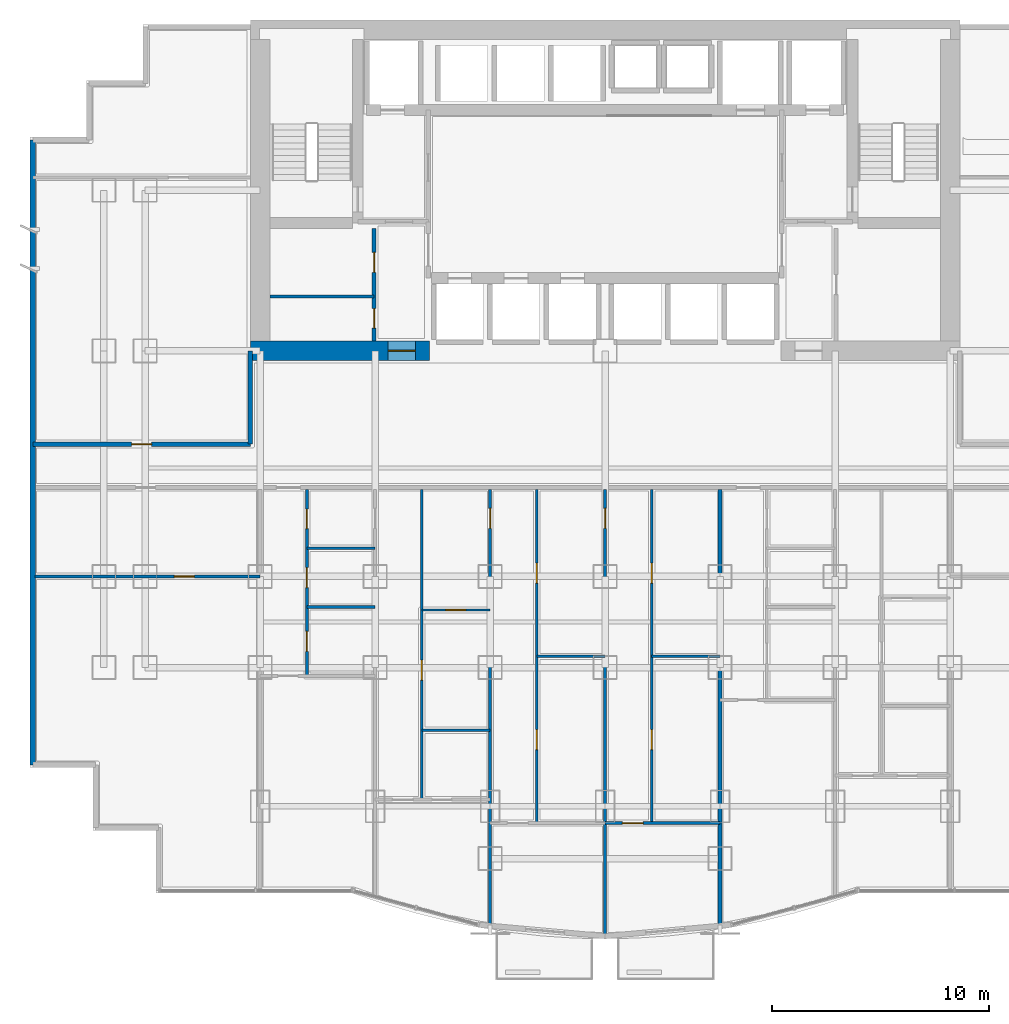
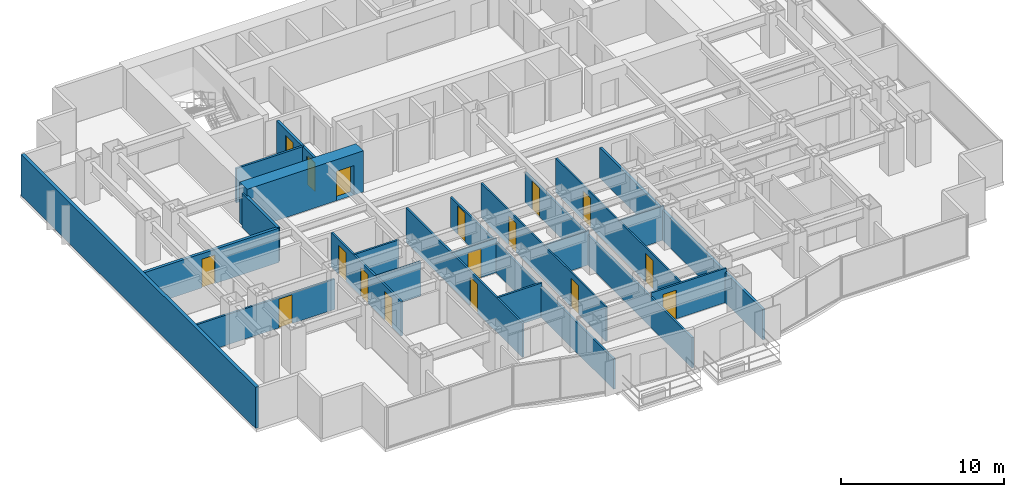
# One storey, part 7 of 12: 21 walls, 17 doors, 17 openings.
"""IFC4 building model written with IfcOpenShell, lengths in metres."""

from ifc_helpers import new_model, si_unit, direction, frame, frame_2d, origin, place, context, subcontext, project, spatial, rectangle, extrude, material, layer, layer_set, type_object, element, fill, save


model = new_model("IFC4")

# Units and contexts
model_context = context("Model", 3, precision=1e-05, world=origin(), true_north=direction((0.0, 1.0)))
body_context = subcontext(model_context, "Body", "Model", "MODEL_VIEW")
ifc_project = project(units=[si_unit("LENGTHUNIT", "METRE"), si_unit("AREAUNIT", "SQUARE_METRE"), si_unit("VOLUMEUNIT", "CUBIC_METRE"), si_unit("PLANEANGLEUNIT", "RADIAN"), si_unit("MASSUNIT", "GRAM", prefix="KILO")], contexts=[model_context])

# Site, building, storey
site_placement = place(None, origin())
site = spatial("IfcSite", under=ifc_project, at=site_placement, CompositionType="ELEMENT")
building_placement = place(site_placement, origin())
building = spatial("IfcBuilding", under=site, at=building_placement, Name="Qianlan Lanfeng Residences", CompositionType="ELEMENT")
storey_placement = place(building_placement, frame((0.0, 0.0, 63.800048828125)))
storey = spatial("IfcBuildingStorey", under=building, at=storey_placement, Name="L17", CompositionType="ELEMENT", Elevation=63.800048828125)

# Wall, opening, door
ifc_material_1 = material(Name="Concrete C70", Category="concrete")
ifc_layer_1 = layer(ifc_material_1, 0.89990234375)
ifc_layer_set_1 = layer_set([ifc_layer_1], Name="Concrete C70")
wall_type_1 = type_object("IfcWallType", Name="CW-RC-900", PredefinedType="SHEAR", material=ifc_layer_set_1)
wall_1_placement = place(storey_placement, frame((10.14990234375, 25.199951171875, 0.0), z_axis=(0.0, 0.0, 1.0), x_axis=(1.0, 0.0, 0.0)))
wall_1 = element("IfcWall", 1, at=wall_1_placement, inside=storey, type_object=wall_type_1, Name="L17 Core Shear Wall SW", PredefinedType="SHEAR", context=body_context, shape_type="SweptSolid", body=[
    extrude(rectangle(XDim=8.25, YDim=0.89990234375, at=frame_2d((4.125, 0.0))), origin(), (0.0, 0.0, 1.0), 3.079833984375),
])
opening_1_placement = place(wall_1_placement, frame((6.35009765625, 0.0, 0.0)))
opening_1 = element("IfcOpeningElement", 2, at=opening_1_placement, cuts=wall_1, Name="Opening L17-D01", PredefinedType="OPENING", context=body_context, shape_type="SweptSolid", body=[
    extrude(rectangle(XDim=1.25, YDim=2.199951171875, at=frame_2d((0.625, 1.10009765625))), frame((0.0, 0.4599609375, 0.0), z_axis=(0.0, -1.0, 0.0), x_axis=(1.0, 0.0, 0.0)), (0.0, 0.0, 1.0), 0.919921875),
])
ifc_material_2 = material(Name="Painted Galvanised Steel Fire Door", Category="steel")
door_type_1 = type_object("IfcDoorType", Name="DT-FFL", OperationType="NOTDEFINED", PredefinedType="DOOR", material=ifc_material_2)
door_1_placement = place(opening_1_placement, frame((1.25, 0.0, 0.0), z_axis=(0.0, 0.0, 1.0), x_axis=(-1.0, 0.0, 0.0)))
door_1 = element("IfcDoor", 3, at=door_1_placement, inside=storey, type_object=door_type_1, Name="L17 West Core Lobby Smoke Door L17-D01 (DT-FFL)", OperationType="SINGLE_SWING_RIGHT", OverallHeight=2.199951171875, OverallWidth=1.25, PredefinedType="DOOR", context=body_context, shape_type="SweptSolid", body=[
    extrude(rectangle(XDim=1.25, YDim=2.199951171875, at=frame_2d((0.625, 1.10009765625))), frame((0.0, 0.02490234375, 0.0), z_axis=(0.0, -1.0, 0.0), x_axis=(1.0, 0.0, 0.0)), (0.0, 0.0, 1.0), 0.050048828125),
])
fill(opening_1, door_1)

# Wall
ifc_material_3 = material(Name="Concrete C42", Category="concrete")
ifc_layer_2 = layer(ifc_material_3, 0.239990234375)
ifc_layer_set_2 = layer_set([ifc_layer_2], Name="Concrete C42")
wall_type_2 = type_object("IfcWallType", Name="EW-240", PredefinedType="SOLIDWALL", material=ifc_layer_set_2)
wall_2_placement = place(storey_placement, frame((0.1201171875, 34.929931640625, 0.0), z_axis=(0.0, 0.0, 1.0), x_axis=(0.0, -1.0, 0.0)))
element("IfcWall", 4, at=wall_2_placement, inside=storey, type_object=wall_type_2, Name="L17 Exterior Facade Spandrel Wall 21", PredefinedType="SOLIDWALL", context=body_context, shape_type="SweptSolid", body=[
    extrude(rectangle(XDim=28.809814453125, YDim=0.239990234375, at=frame_2d((14.40478515625, 0.0))), origin(), (0.0, 0.0, 1.0), 3.079833984375),
])

# Wall, opening, door
ifc_material_4 = material(Name="Demountable Acoustic Framing Partition 110 mm")
ifc_layer_3 = layer(ifc_material_4, 0.110107421875)
ifc_layer_set_3 = layer_set([ifc_layer_3], Name="Demountable Acoustic Framing Partition 110 mm")
wall_type_3 = type_object("IfcWallType", Name="PW-110", PredefinedType="MOVABLE", material=ifc_layer_set_3)
wall_3_placement = place(storey_placement, frame((18.050048828125, 13.256103515625, 0.0), z_axis=(0.0, 0.0, 1.0), x_axis=(1.0, 0.0, 0.0)))
wall_3 = element("IfcWall", 5, at=wall_3_placement, inside=storey, type_object=wall_type_3, Name="L17 U01 Wardrobe Split", PredefinedType="MOVABLE", context=body_context, shape_type="SweptSolid", body=[
    extrude(rectangle(XDim=3.14990234375, YDim=0.110107421875, at=frame_2d((1.574951171875, 0.0))), origin(), (0.0, 0.0, 1.0), 2.570068359375),
])
opening_2_placement = place(wall_3_placement, frame((1.114990234375, 0.0, 0.0)))
opening_2 = element("IfcOpeningElement", 6, at=opening_2_placement, cuts=wall_3, Name="Opening L17-D25", PredefinedType="OPENING", context=body_context, shape_type="SweptSolid", body=[
    extrude(rectangle(XDim=0.919921875, YDim=2.14990234375, at=frame_2d((0.4599609375, 1.074951171875))), frame((0.0, 0.06494140625, 0.0), z_axis=(0.0, -1.0, 0.0), x_axis=(1.0, 0.0, 0.0)), (0.0, 0.0, 1.0), 0.130126953125),
])
ifc_material_5 = material(Name="Glazed Timber Kitchen/Study Door", Category="wood")
door_type_2 = type_object("IfcDoorType", Name="DT-INT", OperationType="NOTDEFINED", PredefinedType="DOOR", material=ifc_material_5)
door_2_placement = place(opening_2_placement, origin())
door_2 = element("IfcDoor", 7, at=door_2_placement, inside=storey, type_object=door_type_2, Name="L17 U01 Dressing Inner Door L17-D25 (DT-INT)", OperationType="SINGLE_SWING_RIGHT", OverallHeight=2.14990234375, OverallWidth=0.919921875, PredefinedType="DOOR", context=body_context, shape_type="SweptSolid", body=[
    extrude(rectangle(XDim=0.919921875, YDim=2.14990234375, at=frame_2d((0.4599609375, 1.074951171875))), frame((0.0, 0.02490234375, 0.0), z_axis=(0.0, -1.0, 0.0), x_axis=(1.0, 0.0, 0.0)), (0.0, 0.0, 1.0), 0.050048828125),
])
fill(opening_2, door_2)

# Wall, openings, doors
wall_4_placement = place(storey_placement, frame((23.35009765625, 3.43408203125, 0.0), z_axis=(0.0, 0.0, 1.0), x_axis=(0.0, 1.0, 0.0)))
wall_4 = element("IfcWall", 8, at=wall_4_placement, inside=storey, type_object=wall_type_3, Name="L17 U01 Bedroom 2 Hall Wall", PredefinedType="MOVABLE", context=body_context, shape_type="SweptSolid", body=[
    extrude(rectangle(XDim=15.365966796875, YDim=0.110107421875, at=frame_2d((7.68310546875, 0.0))), origin(), (0.0, 0.0, 1.0), 2.570068359375),
])
opening_3_placement = place(wall_4_placement, frame((3.381103515625, 0.0, 0.0)))
opening_3 = element("IfcOpeningElement", 9, at=opening_3_placement, cuts=wall_4, Name="Opening L17-D27", PredefinedType="OPENING", context=body_context, shape_type="SweptSolid", body=[
    extrude(rectangle(XDim=0.919921875, YDim=2.14990234375, at=frame_2d((0.4599609375, 1.074951171875))), frame((0.0, 0.06494140625, 0.0), z_axis=(0.0, -1.0, 0.0), x_axis=(1.0, 0.0, 0.0)), (0.0, 0.0, 1.0), 0.130126953125),
])
opening_4_placement = place(wall_4_placement, frame((11.06494140625, 0.0, 0.0)))
opening_4 = element("IfcOpeningElement", 10, at=opening_4_placement, cuts=wall_4, Name="Opening L17-D28", PredefinedType="OPENING", context=body_context, shape_type="SweptSolid", body=[
    extrude(rectangle(XDim=0.919921875, YDim=2.14990234375, at=frame_2d((0.4599609375, 1.074951171875))), frame((0.0, 0.06494140625, 0.0), z_axis=(0.0, -1.0, 0.0), x_axis=(1.0, 0.0, 0.0)), (0.0, 0.0, 1.0), 0.130126953125),
])
door_3_placement = place(opening_3_placement, origin())
door_3 = element("IfcDoor", 11, at=door_3_placement, inside=storey, type_object=door_type_2, Name="L17 U01 Utility Door L17-D27 (DT-INT)", OperationType="SINGLE_SWING_RIGHT", OverallHeight=2.14990234375, OverallWidth=0.919921875, PredefinedType="DOOR", context=body_context, shape_type="SweptSolid", body=[
    extrude(rectangle(XDim=0.919921875, YDim=2.14990234375, at=frame_2d((0.4599609375, 1.074951171875))), frame((0.0, 0.02490234375, 0.0), z_axis=(0.0, -1.0, 0.0), x_axis=(1.0, 0.0, 0.0)), (0.0, 0.0, 1.0), 0.050048828125),
])
fill(opening_3, door_3)
door_4_placement = place(opening_4_placement, origin())
door_4 = element("IfcDoor", 12, at=door_4_placement, inside=storey, type_object=door_type_2, Name="L17 U01 Specialty Door L17-D28 (DT-INT)", OperationType="SINGLE_SWING_LEFT", OverallHeight=2.14990234375, OverallWidth=0.919921875, PredefinedType="DOOR", context=body_context, shape_type="SweptSolid", body=[
    extrude(rectangle(XDim=0.919921875, YDim=2.14990234375, at=frame_2d((0.4599609375, 1.074951171875))), frame((0.0, 0.02490234375, 0.0), z_axis=(0.0, -1.0, 0.0), x_axis=(1.0, 0.0, 0.0)), (0.0, 0.0, 1.0), 0.050048828125),
])
fill(opening_4, door_4)

# Wall
wall_5_placement = place(storey_placement, frame((23.35009765625, 11.116943359375, 0.0), z_axis=(0.0, 0.0, 1.0), x_axis=(1.0, 0.0, 0.0)))
element("IfcWall", 13, at=wall_5_placement, inside=storey, type_object=wall_type_3, Name="L17 U01 Specialty Split Wall", PredefinedType="MOVABLE", context=body_context, shape_type="SweptSolid", body=[
    extrude(rectangle(XDim=3.14990234375, YDim=0.110107421875, at=frame_2d((1.574951171875, 0.0))), origin(), (0.0, 0.0, 1.0), 2.570068359375),
])

# Wall, openings, doors
wall_6_placement = place(storey_placement, frame((28.64990234375, 3.43408203125, 0.0), z_axis=(0.0, 0.0, 1.0), x_axis=(0.0, 1.0, 0.0)))
wall_6 = element("IfcWall", 14, at=wall_6_placement, inside=storey, type_object=wall_type_3, Name="L17 U01 Bedroom 3 Hall Wall", PredefinedType="MOVABLE", context=body_context, shape_type="SweptSolid", body=[
    extrude(rectangle(XDim=15.365966796875, YDim=0.110107421875, at=frame_2d((7.68310546875, 0.0))), origin(), (0.0, 0.0, 1.0), 2.570068359375),
])
opening_5_placement = place(wall_6_placement, frame((3.381103515625, 0.0, 0.0)))
opening_5 = element("IfcOpeningElement", 15, at=opening_5_placement, cuts=wall_6, Name="Opening L17-D30", PredefinedType="OPENING", context=body_context, shape_type="SweptSolid", body=[
    extrude(rectangle(XDim=0.919921875, YDim=2.14990234375, at=frame_2d((0.4599609375, 1.074951171875))), frame((0.0, 0.06494140625, 0.0), z_axis=(0.0, -1.0, 0.0), x_axis=(1.0, 0.0, 0.0)), (0.0, 0.0, 1.0), 0.130126953125),
])
opening_6_placement = place(wall_6_placement, frame((11.06494140625, 0.0, 0.0)))
opening_6 = element("IfcOpeningElement", 16, at=opening_6_placement, cuts=wall_6, Name="Opening L17-D31", PredefinedType="OPENING", context=body_context, shape_type="SweptSolid", body=[
    extrude(rectangle(XDim=0.919921875, YDim=2.14990234375, at=frame_2d((0.4599609375, 1.074951171875))), frame((0.0, 0.06494140625, 0.0), z_axis=(0.0, -1.0, 0.0), x_axis=(1.0, 0.0, 0.0)), (0.0, 0.0, 1.0), 0.130126953125),
])
door_5_placement = place(opening_5_placement, origin())
door_5 = element("IfcDoor", 17, at=door_5_placement, inside=storey, type_object=door_type_2, Name="L17 U01 Utility Door L17-D30 (DT-INT)", OperationType="SINGLE_SWING_LEFT", OverallHeight=2.14990234375, OverallWidth=0.919921875, PredefinedType="DOOR", context=body_context, shape_type="SweptSolid", body=[
    extrude(rectangle(XDim=0.919921875, YDim=2.14990234375, at=frame_2d((0.4599609375, 1.074951171875))), frame((0.0, 0.02490234375, 0.0), z_axis=(0.0, -1.0, 0.0), x_axis=(1.0, 0.0, 0.0)), (0.0, 0.0, 1.0), 0.050048828125),
])
fill(opening_5, door_5)
door_6_placement = place(opening_6_placement, origin())
door_6 = element("IfcDoor", 18, at=door_6_placement, inside=storey, type_object=door_type_2, Name="L17 U01 Specialty Door L17-D31 (DT-INT)", OperationType="SINGLE_SWING_RIGHT", OverallHeight=2.14990234375, OverallWidth=0.919921875, PredefinedType="DOOR", context=body_context, shape_type="SweptSolid", body=[
    extrude(rectangle(XDim=0.919921875, YDim=2.14990234375, at=frame_2d((0.4599609375, 1.074951171875))), frame((0.0, 0.02490234375, 0.0), z_axis=(0.0, -1.0, 0.0), x_axis=(1.0, 0.0, 0.0)), (0.0, 0.0, 1.0), 0.050048828125),
])
fill(opening_6, door_6)

# Wall
wall_7_placement = place(storey_placement, frame((28.64990234375, 11.116943359375, 0.0), z_axis=(0.0, 0.0, 1.0), x_axis=(1.0, 0.0, 0.0)))
element("IfcWall", 19, at=wall_7_placement, inside=storey, type_object=wall_type_3, Name="L17 U01 Specialty Split Wall", PredefinedType="MOVABLE", context=body_context, shape_type="SweptSolid", body=[
    extrude(rectangle(XDim=3.150146484375, YDim=0.110107421875, at=frame_2d((1.5751953125, 0.0))), origin(), (0.0, 0.0, 1.0), 2.570068359375),
])

# Wall, opening, door
ifc_material_6 = material(Name="Moisture-Resistant Gypsum Partition 135 mm")
ifc_layer_4 = layer(ifc_material_6, 0.135009765625)
ifc_layer_set_4 = layer_set([ifc_layer_4], Name="Moisture-Resistant Gypsum Partition 135 mm")
wall_type_4 = type_object("IfcWallType", Name="PW-135", PredefinedType="PARTITIONING", material=ifc_layer_set_4)
wall_8_placement = place(storey_placement, frame((21.199951171875, -1.235107421875, 0.0), z_axis=(0.0, 0.0, 1.0), x_axis=(0.0, 1.0, 0.0)))
wall_8 = element("IfcWall", 20, at=wall_8_placement, inside=storey, type_object=wall_type_4, Name="L17 U01 Bay Spine Wall 2", PredefinedType="PARTITIONING", context=body_context, shape_type="SweptSolid", body=[
    extrude(rectangle(XDim=20.03515625, YDim=0.135009765625, at=frame_2d((10.017578125, 0.0))), origin(), (0.0, 0.0, 1.0), 2.27490234375),
])
opening_7_placement = place(wall_8_placement, frame((18.25, 0.0, 0.0)))
opening_7 = element("IfcOpeningElement", 21, at=opening_7_placement, cuts=wall_8, Name="Opening L17-D16", PredefinedType="OPENING", context=body_context, shape_type="SweptSolid", body=[
    extrude(rectangle(XDim=0.919921875, YDim=2.14990234375, at=frame_2d((0.4599609375, 1.074951171875))), frame((0.0, 0.07763671875, 0.0), z_axis=(0.0, -1.0, 0.0), x_axis=(1.0, 0.0, 0.0)), (0.0, 0.0, 1.0), 0.155029296875),
])
door_7_placement = place(opening_7_placement, origin())
door_7 = element("IfcDoor", 22, at=door_7_placement, inside=storey, type_object=door_type_2, Name="L17 U01 Internal Hall Door L17-D16 (DT-INT)", OperationType="SINGLE_SWING_LEFT", OverallHeight=2.14990234375, OverallWidth=0.919921875, PredefinedType="DOOR", context=body_context, shape_type="SweptSolid", body=[
    extrude(rectangle(XDim=0.919921875, YDim=2.14990234375, at=frame_2d((0.4599609375, 1.074951171875))), frame((0.0, 0.02490234375, 0.0), z_axis=(0.0, -1.0, 0.0), x_axis=(1.0, 0.0, 0.0)), (0.0, 0.0, 1.0), 0.050048828125),
])
fill(opening_7, door_7)

wall_9_placement = place(storey_placement, frame((26.5, -1.679931640625, 0.0), z_axis=(0.0, 0.0, 1.0), x_axis=(0.0, 1.0, 0.0)))
wall_9 = element("IfcWall", 23, at=wall_9_placement, inside=storey, type_object=wall_type_4, Name="L17 U01 Bay Spine Wall 3", PredefinedType="PARTITIONING", context=body_context, shape_type="SweptSolid", body=[
    extrude(rectangle(XDim=20.47998046875, YDim=0.135009765625, at=frame_2d((10.239990234375, 0.0))), origin(), (0.0, 0.0, 1.0), 2.27490234375),
])
opening_8_placement = place(wall_9_placement, frame((18.695068359375, 0.0, 0.0)))
opening_8 = element("IfcOpeningElement", 24, at=opening_8_placement, cuts=wall_9, Name="Opening L17-D17", PredefinedType="OPENING", context=body_context, shape_type="SweptSolid", body=[
    extrude(rectangle(XDim=0.919921875, YDim=2.14990234375, at=frame_2d((0.4599609375, 1.074951171875))), frame((0.0, 0.07763671875, 0.0), z_axis=(0.0, -1.0, 0.0), x_axis=(1.0, 0.0, 0.0)), (0.0, 0.0, 1.0), 0.155029296875),
])
door_8_placement = place(opening_8_placement, origin())
door_8 = element("IfcDoor", 25, at=door_8_placement, inside=storey, type_object=door_type_2, Name="L17 U01 Internal Hall Door L17-D17 (DT-INT)", OperationType="SINGLE_SWING_RIGHT", OverallHeight=2.14990234375, OverallWidth=0.919921875, PredefinedType="DOOR", context=body_context, shape_type="SweptSolid", body=[
    extrude(rectangle(XDim=0.919921875, YDim=2.14990234375, at=frame_2d((0.4599609375, 1.074951171875))), frame((0.0, 0.02490234375, 0.0), z_axis=(0.0, -1.0, 0.0), x_axis=(1.0, 0.0, 0.0)), (0.0, 0.0, 1.0), 0.050048828125),
])
fill(opening_8, door_8)

# Wall, openings, doors
wall_10_placement = place(storey_placement, frame((12.75, 10.219970703125, 0.0), z_axis=(0.0, 0.0, 1.0), x_axis=(0.0, 1.0, 0.0)))
wall_10 = element("IfcWall", 26, at=wall_10_placement, inside=storey, type_object=wall_type_4, Name="L17 U01 Entry Hall Spine", PredefinedType="PARTITIONING", context=body_context, shape_type="SweptSolid", body=[
    extrude(rectangle(XDim=8.580078125, YDim=0.135009765625, at=frame_2d((4.2900390625, 0.0))), origin(), (0.0, 0.0, 1.0), 2.570068359375),
])
opening_9_placement = place(wall_10_placement, frame((1.1298828125, 0.0, 0.0)))
opening_9 = element("IfcOpeningElement", 27, at=opening_9_placement, cuts=wall_10, Name="Opening L17-D19", PredefinedType="OPENING", context=body_context, shape_type="SweptSolid", body=[
    extrude(rectangle(XDim=0.919921875, YDim=2.14990234375, at=frame_2d((0.4599609375, 1.074951171875))), frame((0.0, 0.07763671875, 0.0), z_axis=(0.0, -1.0, 0.0), x_axis=(1.0, 0.0, 0.0)), (0.0, 0.0, 1.0), 0.155029296875),
])
opening_10_placement = place(wall_10_placement, frame((4.070068359375, 0.0, 0.0)))
opening_10 = element("IfcOpeningElement", 28, at=opening_10_placement, cuts=wall_10, Name="Opening L17-D20", PredefinedType="OPENING", context=body_context, shape_type="SweptSolid", body=[
    extrude(rectangle(XDim=0.919921875, YDim=2.14990234375, at=frame_2d((0.4599609375, 1.074951171875))), frame((0.0, 0.07763671875, 0.0), z_axis=(0.0, -1.0, 0.0), x_axis=(1.0, 0.0, 0.0)), (0.0, 0.0, 1.0), 0.155029296875),
])
opening_11_placement = place(wall_10_placement, frame((6.780029296875, 0.0, 0.0)))
opening_11 = element("IfcOpeningElement", 29, at=opening_11_placement, cuts=wall_10, Name="Opening L17-D21", PredefinedType="OPENING", context=body_context, shape_type="SweptSolid", body=[
    extrude(rectangle(XDim=0.89990234375, YDim=2.14990234375, at=frame_2d((0.449951171875, 1.074951171875))), frame((0.0, 0.07763671875, 0.0), z_axis=(0.0, -1.0, 0.0), x_axis=(1.0, 0.0, 0.0)), (0.0, 0.0, 1.0), 0.155029296875),
])
door_9_placement = place(opening_9_placement, origin())
door_9 = element("IfcDoor", 30, at=door_9_placement, inside=storey, type_object=door_type_2, Name="L17 U01 Study Door L17-D19 (DT-INT)", OperationType="SINGLE_SWING_RIGHT", OverallHeight=2.14990234375, OverallWidth=0.919921875, PredefinedType="DOOR", context=body_context, shape_type="SweptSolid", body=[
    extrude(rectangle(XDim=0.919921875, YDim=2.14990234375, at=frame_2d((0.4599609375, 1.074951171875))), frame((0.0, 0.02490234375, 0.0), z_axis=(0.0, -1.0, 0.0), x_axis=(1.0, 0.0, 0.0)), (0.0, 0.0, 1.0), 0.050048828125),
])
fill(opening_9, door_9)
door_10_placement = place(opening_10_placement, origin())
door_10 = element("IfcDoor", 31, at=door_10_placement, inside=storey, type_object=door_type_2, Name="L17 U01 Kitchen Door L17-D20 (DT-INT)", OperationType="SINGLE_SWING_LEFT", OverallHeight=2.14990234375, OverallWidth=0.919921875, PredefinedType="DOOR", context=body_context, shape_type="SweptSolid", body=[
    extrude(rectangle(XDim=0.919921875, YDim=2.14990234375, at=frame_2d((0.4599609375, 1.074951171875))), frame((0.0, 0.02490234375, 0.0), z_axis=(0.0, -1.0, 0.0), x_axis=(1.0, 0.0, 0.0)), (0.0, 0.0, 1.0), 0.050048828125),
])
fill(opening_10, door_10)
ifc_material_7 = material(Name="Moisture-Resistant Timber Leaf", Category="wood")
door_type_3 = type_object("IfcDoorType", Name="DT-WC", OperationType="NOTDEFINED", PredefinedType="DOOR", material=ifc_material_7)
door_11_placement = place(opening_11_placement, origin())
door_11 = element("IfcDoor", 32, at=door_11_placement, inside=storey, type_object=door_type_3, Name="L17 U01 Bathroom Door L17-D21 (DT-WC)", OperationType="SINGLE_SWING_RIGHT", OverallHeight=2.14990234375, OverallWidth=0.89990234375, PredefinedType="DOOR", context=body_context, shape_type="SweptSolid", body=[
    extrude(rectangle(XDim=0.89990234375, YDim=2.14990234375, at=frame_2d((0.449951171875, 1.074951171875))), frame((0.0, 0.02490234375, 0.0), z_axis=(0.0, -1.0, 0.0), x_axis=(1.0, 0.0, 0.0)), (0.0, 0.0, 1.0), 0.050048828125),
])
fill(opening_11, door_11)

# Walls
for number, where, z_axis, x_axis, name in (
    (33, (12.75, 13.39990234375, 0.0), (0.0, 0.0, 1.0), (1.0, 0.0, 0.0), "L17 U01 Kitchen South Wall"),
    (34, (12.75, 16.10009765625, 0.0), (0.0, 0.0, 1.0), (1.0, 0.0, 0.0), "L17 U01 Bathroom South Wall"),
):
    element("IfcWall", number, at=place(storey_placement, frame(where, z_axis=z_axis, x_axis=x_axis)), inside=storey, type_object=wall_type_4, Name=name, PredefinedType="PARTITIONING", context=body_context, shape_type="SweptSolid", body=[
        extrude(rectangle(XDim=3.14990234375, YDim=0.135009765625, at=frame_2d((1.574951171875, 0.0))), origin(), (0.0, 0.0, 1.0), 2.570068359375),
    ])

# Wall, opening, door
wall_11_placement = place(storey_placement, frame((18.050048828125, 4.511962890625, 0.0), z_axis=(0.0, 0.0, 1.0), x_axis=(0.0, 1.0, 0.0)))
wall_11 = element("IfcWall", 35, at=wall_11_placement, inside=storey, type_object=wall_type_4, Name="L17 U01 Master Passage Wall", PredefinedType="PARTITIONING", context=body_context, shape_type="SweptSolid", body=[
    extrude(rectangle(XDim=14.2880859375, YDim=0.135009765625, at=frame_2d((7.14404296875, 0.0))), origin(), (0.0, 0.0, 1.0), 2.570068359375),
])
opening_12_placement = place(wall_11_placement, frame((5.511962890625, 0.0, 0.0)))
opening_12 = element("IfcOpeningElement", 36, at=opening_12_placement, cuts=wall_11, Name="Opening L17-D24", PredefinedType="OPENING", context=body_context, shape_type="SweptSolid", body=[
    extrude(rectangle(XDim=0.919921875, YDim=2.14990234375, at=frame_2d((0.4599609375, 1.074951171875))), frame((0.0, 0.07763671875, 0.0), z_axis=(0.0, -1.0, 0.0), x_axis=(1.0, 0.0, 0.0)), (0.0, 0.0, 1.0), 0.155029296875),
])
door_12_placement = place(opening_12_placement, origin())
door_12 = element("IfcDoor", 37, at=door_12_placement, inside=storey, type_object=door_type_2, Name="L17 U01 Wardrobe Door L17-D24 (DT-INT)", OperationType="SINGLE_SWING_LEFT", OverallHeight=2.14990234375, OverallWidth=0.919921875, PredefinedType="DOOR", context=body_context, shape_type="SweptSolid", body=[
    extrude(rectangle(XDim=0.919921875, YDim=2.14990234375, at=frame_2d((0.4599609375, 1.074951171875))), frame((0.0, 0.02490234375, 0.0), z_axis=(0.0, -1.0, 0.0), x_axis=(1.0, 0.0, 0.0)), (0.0, 0.0, 1.0), 0.050048828125),
])
fill(opening_12, door_12)

# Wall
wall_12_placement = place(storey_placement, frame((18.050048828125, 7.7119140625, 0.0), z_axis=(0.0, 0.0, 1.0), x_axis=(1.0, 0.0, 0.0)))
element("IfcWall", 38, at=wall_12_placement, inside=storey, type_object=wall_type_4, Name="L17 U01 En-Suite North Wall", PredefinedType="PARTITIONING", context=body_context, shape_type="SweptSolid", body=[
    extrude(rectangle(XDim=3.14990234375, YDim=0.135009765625, at=frame_2d((1.574951171875, 0.0))), origin(), (0.0, 0.0, 1.0), 2.570068359375),
])

# Wall, opening, door
wall_13_placement = place(storey_placement, frame((26.5, 3.43408203125, 0.0), z_axis=(0.0, 0.0, 1.0), x_axis=(1.0, 0.0, 0.0)))
wall_13 = element("IfcWall", 39, at=wall_13_placement, inside=storey, type_object=wall_type_4, Name="L17 U01 Bedroom 3 North Wall", PredefinedType="PARTITIONING", context=body_context, shape_type="SweptSolid", body=[
    extrude(rectangle(XDim=5.300048828125, YDim=0.135009765625, at=frame_2d((2.64990234375, 0.0))), origin(), (0.0, 0.0, 1.0), 2.570068359375),
])
opening_13_placement = place(wall_13_placement, frame((0.800048828125, 0.0, 0.0)))
opening_13 = element("IfcOpeningElement", 40, at=opening_13_placement, cuts=wall_13, Name="Opening L17-D29", PredefinedType="OPENING", context=body_context, shape_type="SweptSolid", body=[
    extrude(rectangle(XDim=0.949951171875, YDim=2.14990234375, at=frame_2d((0.47509765625, 1.074951171875))), frame((0.0, 0.07763671875, 0.0), z_axis=(0.0, -1.0, 0.0), x_axis=(1.0, 0.0, 0.0)), (0.0, 0.0, 1.0), 0.155029296875),
])
ifc_material_8 = material(Name="Painted Solid-Core Timber Leaf", Category="wood")
door_type_4 = type_object("IfcDoorType", Name="DT-BED", OperationType="NOTDEFINED", PredefinedType="DOOR", material=ifc_material_8)
door_13_placement = place(opening_13_placement, frame((0.949951171875, 0.0, 0.0), z_axis=(0.0, 0.0, 1.0), x_axis=(-1.0, 0.0, 0.0)))
door_13 = element("IfcDoor", 41, at=door_13_placement, inside=storey, type_object=door_type_4, Name="L17 U01 Bedroom 3 Door L17-D29 (DT-BED)", OperationType="SINGLE_SWING_LEFT", OverallHeight=2.14990234375, OverallWidth=0.949951171875, PredefinedType="DOOR", context=body_context, shape_type="SweptSolid", body=[
    extrude(rectangle(XDim=0.949951171875, YDim=2.14990234375, at=frame_2d((0.47509765625, 1.074951171875))), frame((0.0, 0.02490234375, 0.0), z_axis=(0.0, -1.0, 0.0), x_axis=(1.0, 0.0, 0.0)), (0.0, 0.0, 1.0), 0.050048828125),
])
fill(opening_13, door_13)

wall_14_placement = place(storey_placement, frame((0.219970703125, 14.800048828125, 0.0), z_axis=(0.0, 0.0, 1.0), x_axis=(1.0, 0.0, 0.0)))
wall_14 = element("IfcWall", 42, at=wall_14_placement, inside=storey, type_object=wall_type_4, Name="L17 SWP Mid Partition", PredefinedType="PARTITIONING", context=body_context, shape_type="SweptSolid", body=[
    extrude(rectangle(XDim=10.380126953125, YDim=0.135009765625, at=frame_2d((5.18994140625, 0.0))), origin(), (0.0, 0.0, 1.0), 2.27490234375),
])
opening_14_placement = place(wall_14_placement, frame((6.429931640625, 0.0, 0.0)))
opening_14 = element("IfcOpeningElement", 43, at=opening_14_placement, cuts=wall_14, Name="Opening L17-D42", PredefinedType="OPENING", context=body_context, shape_type="SweptSolid", body=[
    extrude(rectangle(XDim=0.919921875, YDim=2.14990234375, at=frame_2d((0.4599609375, 1.074951171875))), frame((0.0, 0.07763671875, 0.0), z_axis=(0.0, -1.0, 0.0), x_axis=(1.0, 0.0, 0.0)), (0.0, 0.0, 1.0), 0.155029296875),
])
door_14_placement = place(opening_14_placement, origin())
door_14 = element("IfcDoor", 44, at=door_14_placement, inside=storey, type_object=door_type_2, Name="L17 SWP Inner Door L17-D42 (DT-INT)", OperationType="SINGLE_SWING_LEFT", OverallHeight=2.14990234375, OverallWidth=0.919921875, PredefinedType="DOOR", context=body_context, shape_type="SweptSolid", body=[
    extrude(rectangle(XDim=0.919921875, YDim=2.14990234375, at=frame_2d((0.4599609375, 1.074951171875))), frame((0.0, 0.02490234375, 0.0), z_axis=(0.0, -1.0, 0.0), x_axis=(1.0, 0.0, 0.0)), (0.0, 0.0, 1.0), 0.050048828125),
])
fill(opening_14, door_14)

# Wall
ifc_material_9 = material(Name="Acoustic Drywall Partition 150 mm")
ifc_layer_5 = layer(ifc_material_9, 0.14990234375)
ifc_layer_set_5 = layer_set([ifc_layer_5], Name="Acoustic Drywall Partition 150 mm")
wall_type_5 = type_object("IfcWallType", Name="PW-150", PredefinedType="PARTITIONING", material=ifc_layer_set_5)
wall_15_placement = place(storey_placement, frame((11.050048828125, 27.699951171875, 0.0), z_axis=(0.0, 0.0, 1.0), x_axis=(1.0, 0.0, 0.0)))
element("IfcWall", 45, at=wall_15_placement, inside=storey, type_object=wall_type_5, Name="L17 Core West Split", PredefinedType="PARTITIONING", context=body_context, shape_type="SweptSolid", body=[
    extrude(rectangle(XDim=4.800048828125, YDim=0.14990234375, at=frame_2d((2.39990234375, 0.0))), origin(), (0.0, 0.0, 1.0), 2.570068359375),
])

# Wall, openings, doors
ifc_material_10 = material(Name="Double-Layer Acoustic Gypsum Stud Wall 180 mm")
ifc_layer_6 = layer(ifc_material_10, 0.179931640625)
ifc_layer_set_6 = layer_set([ifc_layer_6], Name="Double-Layer Acoustic Gypsum Stud Wall 180 mm")
wall_type_6 = type_object("IfcWallType", Name="PW-180", PredefinedType="PARTITIONING", material=ifc_layer_set_6)
wall_16_placement = place(storey_placement, frame((15.85009765625, 25.64990234375, 0.0), z_axis=(0.0, 0.0, 1.0), x_axis=(0.0, 1.0, 0.0)))
wall_16 = element("IfcWall", 46, at=wall_16_placement, inside=storey, type_object=wall_type_6, Name="L17 Core West Service Room Wall", PredefinedType="PARTITIONING", context=body_context, shape_type="SweptSolid", body=[
    extrude(rectangle(XDim=5.2001953125, YDim=0.179931640625, at=frame_2d((2.60009765625, 0.0))), origin(), (0.0, 0.0, 1.0), 2.570068359375),
])
opening_15_placement = place(wall_16_placement, frame((0.60009765625, 0.0, 0.0)))
opening_15 = element("IfcOpeningElement", 47, at=opening_15_placement, cuts=wall_16, Name="Opening L17-D09", PredefinedType="OPENING", context=body_context, shape_type="SweptSolid", body=[
    extrude(rectangle(XDim=0.89990234375, YDim=2.14990234375, at=frame_2d((0.449951171875, 1.074951171875))), frame((0.0, 0.10009765625, 0.0), z_axis=(0.0, -1.0, 0.0), x_axis=(1.0, 0.0, 0.0)), (0.0, 0.0, 1.0), 0.199951171875),
])
opening_16_placement = place(wall_16_placement, frame((3.1650390625, 0.0, 0.0)))
opening_16 = element("IfcOpeningElement", 48, at=opening_16_placement, cuts=wall_16, Name="Opening L17-D10", PredefinedType="OPENING", context=body_context, shape_type="SweptSolid", body=[
    extrude(rectangle(XDim=0.919921875, YDim=2.14990234375, at=frame_2d((0.4599609375, 1.074951171875))), frame((0.0, 0.10009765625, 0.0), z_axis=(0.0, -1.0, 0.0), x_axis=(1.0, 0.0, 0.0)), (0.0, 0.0, 1.0), 0.199951171875),
])
door_15_placement = place(opening_16_placement, origin())
door_15 = element("IfcDoor", 49, at=door_15_placement, inside=storey, type_object=door_type_2, Name="L17 Janitor Closet Door L17-D10 (DT-INT)", OperationType="SINGLE_SWING_LEFT", OverallHeight=2.14990234375, OverallWidth=0.919921875, PredefinedType="DOOR", context=body_context, shape_type="SweptSolid", body=[
    extrude(rectangle(XDim=0.919921875, YDim=2.14990234375, at=frame_2d((0.4599609375, 1.074951171875))), frame((0.0, 0.02490234375, 0.0), z_axis=(0.0, -1.0, 0.0), x_axis=(1.0, 0.0, 0.0)), (0.0, 0.0, 1.0), 0.050048828125),
])
fill(opening_16, door_15)
door_16_placement = place(opening_15_placement, frame((0.89990234375, 0.0, 0.0), z_axis=(0.0, 0.0, 1.0), x_axis=(-1.0, 0.0, 0.0)))
door_16 = element("IfcDoor", 50, at=door_16_placement, inside=storey, type_object=door_type_3, Name="L17 Core Staff WC Door L17-D09 (DT-WC)", OperationType="SINGLE_SWING_RIGHT", OverallHeight=2.14990234375, OverallWidth=0.89990234375, PredefinedType="DOOR", context=body_context, shape_type="SweptSolid", body=[
    extrude(rectangle(XDim=0.89990234375, YDim=2.14990234375, at=frame_2d((0.449951171875, 1.074951171875))), frame((0.0, 0.02490234375, 0.0), z_axis=(0.0, -1.0, 0.0), x_axis=(1.0, 0.0, 0.0)), (0.0, 0.0, 1.0), 0.050048828125),
])
fill(opening_15, door_16)

# Wall
wall_17_placement = place(storey_placement, frame((31.800048828125, -1.235107421875, 0.0), z_axis=(0.0, 0.0, 1.0), x_axis=(0.0, 1.0, 0.0)))
element("IfcWall", 51, at=wall_17_placement, inside=storey, type_object=wall_type_6, Name="L17 Inter-Tenancy Party Wall 2", PredefinedType="PARTITIONING", context=body_context, shape_type="SweptSolid", body=[
    extrude(rectangle(XDim=20.03515625, YDim=0.179931640625, at=frame_2d((10.017578125, 0.0))), origin(), (0.0, 0.0, 1.0), 2.27490234375),
])

# Wall, opening, door
ifc_material_11 = material(Name="Autoclaved Aerated Concrete Blockwork 200 mm", Category="masonry")
ifc_layer_7 = layer(ifc_material_11, 0.199951171875)
ifc_layer_set_7 = layer_set([ifc_layer_7], Name="Autoclaved Aerated Concrete Blockwork 200 mm")
wall_type_7 = type_object("IfcWallType", Name="PW-200", PredefinedType="PARTITIONING", material=ifc_layer_set_7)
wall_18_placement = place(storey_placement, frame((0.1201171875, 20.89990234375, 0.0), z_axis=(0.0, 0.0, 1.0), x_axis=(1.0, 0.0, 0.0)))
wall_18 = element("IfcWall", 52, at=wall_18_placement, inside=storey, type_object=wall_type_7, Name="L17 Corridor NW Wall", PredefinedType="PARTITIONING", context=body_context, shape_type="SweptSolid", body=[
    extrude(rectangle(XDim=10.02978515625, YDim=0.199951171875, at=frame_2d((5.014892578125, 0.0))), origin(), (0.0, 0.0, 1.0), 2.570068359375),
])
opening_17_placement = place(wall_18_placement, frame((4.554931640625, 0.0, 0.0)))
opening_17 = element("IfcOpeningElement", 53, at=opening_17_placement, cuts=wall_18, Name="Opening L17-D47", PredefinedType="OPENING", context=body_context, shape_type="SweptSolid", body=[
    extrude(rectangle(XDim=0.919921875, YDim=2.14990234375, at=frame_2d((0.4599609375, 1.074951171875))), frame((0.0, 0.10986328125, 0.0), z_axis=(0.0, -1.0, 0.0), x_axis=(1.0, 0.0, 0.0)), (0.0, 0.0, 1.0), 0.219970703125),
])
door_17_placement = place(opening_17_placement, origin())
door_17 = element("IfcDoor", 54, at=door_17_placement, inside=storey, type_object=door_type_2, Name="L17 WW Amenity Salon Door L17-D47 (DT-INT)", OperationType="SINGLE_SWING_RIGHT", OverallHeight=2.14990234375, OverallWidth=0.919921875, PredefinedType="DOOR", context=body_context, shape_type="SweptSolid", body=[
    extrude(rectangle(XDim=0.919921875, YDim=2.14990234375, at=frame_2d((0.4599609375, 1.074951171875))), frame((0.0, 0.02490234375, 0.0), z_axis=(0.0, -1.0, 0.0), x_axis=(1.0, 0.0, 0.0)), (0.0, 0.0, 1.0), 0.050048828125),
])
fill(opening_17, door_17)

# Wall
wall_19_placement = place(storey_placement, frame((10.14990234375, 20.89990234375, 0.0), z_axis=(0.0, 0.0, 1.0), x_axis=(0.0, 1.0, 0.0)))
element("IfcWall", 55, at=wall_19_placement, inside=storey, type_object=wall_type_7, Name="L17 NW Wing Core Return Wall", PredefinedType="PARTITIONING", context=body_context, shape_type="SweptSolid", body=[
    extrude(rectangle(XDim=4.300048828125, YDim=0.199951171875, at=frame_2d((2.14990234375, 0.0))), origin(), (0.0, 0.0, 1.0), 2.570068359375),
])

save(model, "model.ifc")
